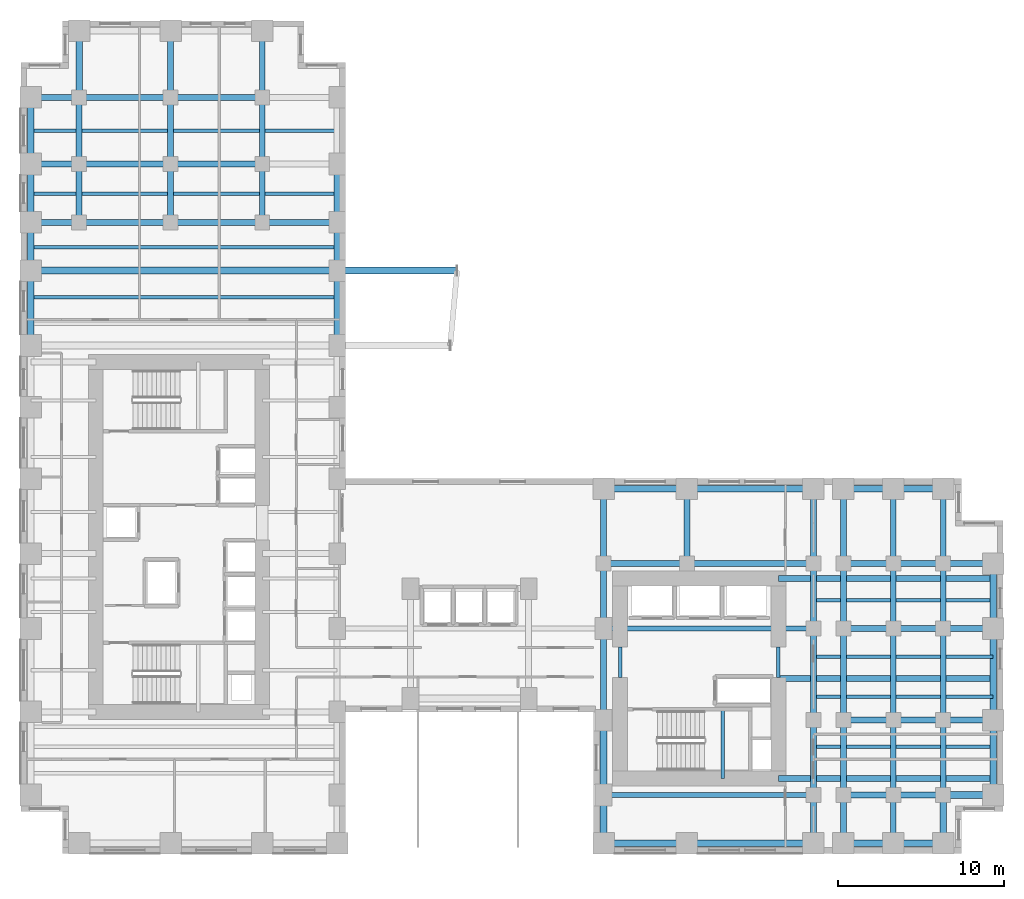
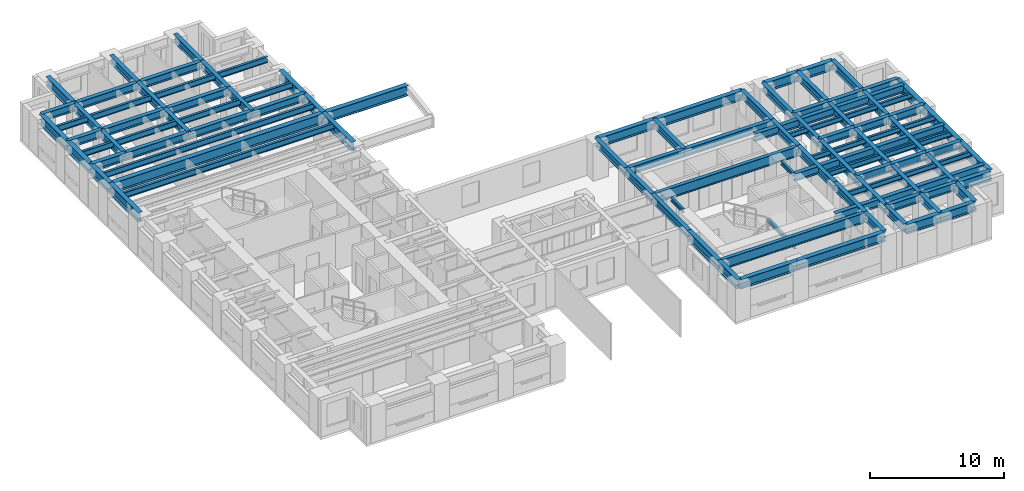
# One storey, part 3 of 14: 95 beams.
"""IFC4 building model written with IfcOpenShell, lengths in metres."""

from ifc_helpers import new_model, si_unit, direction, frame, origin, origin_2d, place, context, subcontext, project, spatial, i_section, extrude, source, transform, mapped, material, material_profile, profile_set, type_object, element, save


model = new_model("IFC4")

# Units and contexts
model_context = context("Model", 3, precision=1e-05, world=origin(), true_north=direction((0.0, 1.0)))
body_context = subcontext(model_context, "Body", "Model", "MODEL_VIEW")
ifc_project = project(units=[si_unit("LENGTHUNIT", "METRE"), si_unit("AREAUNIT", "SQUARE_METRE"), si_unit("VOLUMEUNIT", "CUBIC_METRE"), si_unit("PLANEANGLEUNIT", "RADIAN"), si_unit("MASSUNIT", "GRAM", prefix="KILO")], contexts=[model_context])

# Site, building, storey
site_placement = place(None, origin())
site = spatial("IfcSite", under=ifc_project, at=site_placement, CompositionType="ELEMENT")
building_placement = place(site_placement, origin())
building = spatial("IfcBuilding", under=site, at=building_placement, Name="Kharzan Plaza Tower", CompositionType="ELEMENT")
storey_placement = place(building_placement, frame((0.0, 0.0, 36.89990234375)))
storey = spatial("IfcBuildingStorey", under=building, at=storey_placement, Name="L09", CompositionType="ELEMENT", Elevation=36.89990234375)

# Beams
ifc_material = material(Name="Steel S355", Category="steel")
ifc_material_profile_1 = material_profile(ifc_material, i_section(OverallWidth=0.205078125, OverallDepth=0.35400390625, WebThickness=0.009521484375, FlangeThickness=0.016845703125, at=origin_2d()), Name="W360x79")
ifc_profile_set_1 = profile_set([ifc_material_profile_1], Name="Steel S355")
beam_type_1 = type_object("IfcBeamType", Name="BM-LNT360", PredefinedType="LINTEL", material=ifc_profile_set_1)
shared_shape_1 = source(origin(), body_context, "Body", "SweptSolid", [
    extrude(i_section(OverallWidth=0.205078125, OverallDepth=0.35400390625, WebThickness=0.009521484375, FlangeThickness=0.016845703125, at=origin_2d()), origin(), (0.0, 0.0, 1.0), 1.849853515625),
])
for number, where, z_axis, x_axis, name in (
    (1, (45.5, 10.550048828125, 3.203125), (0.0, 1.0, 0.0), (-1.0, 0.0, 0.0), "L09 CORE-B coupling lintel LN1-WE"),
    (2, (36.0, 10.550048828125, 3.203125), (0.0, 1.0, 0.0), (-1.0, 0.0, 0.0), "L09 CORE-B coupling lintel LN1-WW"),
):
    element("IfcBeam", number, at=place(storey_placement, frame(where, z_axis=z_axis, x_axis=x_axis)), inside=storey, type_object=beam_type_1, Name=name, PredefinedType="LINTEL", context=body_context, shape_type="MappedRepresentation", body=[
        mapped(shared_shape_1, transform((0.0, 0.0, 0.0), x_axis=(1.0, 0.0, 0.0), y_axis=(0.0, 1.0, 0.0), z_axis=(0.0, 0.0, 1.0))),
    ])
shared_shape_2 = source(origin(), body_context, "Body", "SweptSolid", [
    extrude(i_section(OverallWidth=0.205078125, OverallDepth=0.35400390625, WebThickness=0.009521484375, FlangeThickness=0.016845703125, at=origin_2d()), origin(), (0.0, 0.0, 1.0), 4.155029296875),
])
beam_1_placement = place(storey_placement, frame((42.14990234375, 4.5, 1.423095703125), z_axis=(0.0, 1.0, 0.0), x_axis=(-1.0, 0.0, 0.0)))
element("IfcBeam", 3, at=beam_1_placement, inside=storey, type_object=beam_type_1, Name="L09 Stair ST-3 Half-Landing Beam", PredefinedType="LINTEL", context=body_context, shape_type="MappedRepresentation", body=[
    mapped(shared_shape_2, transform((0.0, 0.0, 0.0), x_axis=(1.0, 0.0, 0.0), y_axis=(0.0, 1.0, 0.0), z_axis=(0.0, 0.0, 1.0))),
])
ifc_material_profile_2 = material_profile(ifc_material, i_section(OverallWidth=0.304931640625, OverallDepth=0.9189453125, WebThickness=0.017333984375, FlangeThickness=0.02783203125, at=origin_2d()), Name="W920x253")
ifc_profile_set_2 = profile_set([ifc_material_profile_2], Name="Steel S355")
beam_type_2 = type_object("IfcBeamType", Name="BM-FG920B", PredefinedType="BEAM", material=ifc_profile_set_2)
shared_shape_3 = source(origin(), body_context, "Body", "SweptSolid", [
    extrude(i_section(OverallWidth=0.304931640625, OverallDepth=0.9189453125, WebThickness=0.017333984375, FlangeThickness=0.02783203125, at=origin_2d()), origin(), (0.0, 0.0, 1.0), 12.60009765625),
])
for number, where, z_axis, x_axis, name in (
    (4, (35.0, 3.5, 2.920654296875), (1.0, 0.0, 0.0), (0.0, 1.0, 0.0), "L09 Primary Floor Girder"),
    (5, (35.0, 13.5, 2.920654296875), (1.0, 0.0, 0.0), (0.0, 1.0, 0.0), "L09 Primary Floor Girder"),
):
    element("IfcBeam", number, at=place(storey_placement, frame(where, z_axis=z_axis, x_axis=x_axis)), inside=storey, type_object=beam_type_2, Name=name, PredefinedType="BEAM", context=body_context, shape_type="MappedRepresentation", body=[
        mapped(shared_shape_3, transform((0.0, 0.0, 0.0), x_axis=(1.0, 0.0, 0.0), y_axis=(0.0, 1.0, 0.0), z_axis=(0.0, 0.0, 1.0))),
    ])
ifc_material_profile_3 = material_profile(ifc_material, i_section(OverallWidth=0.35498046875, OverallDepth=0.695068359375, WebThickness=0.015380859375, FlangeThickness=0.02490234375, at=origin_2d()), Name="W690x217")
ifc_profile_set_3 = profile_set([ifc_material_profile_3], Name="Steel S355")
beam_type_3 = type_object("IfcBeamType", Name="BM-FG690A", PredefinedType="BEAM", material=ifc_profile_set_3)
shared_shape_4 = source(origin(), body_context, "Body", "SweptSolid", [
    extrude(i_section(OverallWidth=0.35498046875, OverallDepth=0.695068359375, WebThickness=0.015380859375, FlangeThickness=0.02490234375, at=origin_2d()), origin(), (0.0, 0.0, 1.0), 4.5),
])
for number, where, z_axis, x_axis, name in (
    (6, (35.0, 17.39990234375, 3.03271484375), (0.0, 1.0, 0.0), (-1.0, 0.0, 0.0), "L09 Interior Frame Girder"),
    (7, (40.0, 17.39990234375, 3.03271484375), (0.0, 1.0, 0.0), (-1.0, 0.0, 0.0), "L09 Interior Frame Girder"),
    (8, (47.60009765625, 3.5, 3.03271484375), (0.0, 1.0, 0.0), (-1.0, 0.0, 0.0), "L09 Interior Frame Girder"),
    (9, (47.60009765625, 17.39990234375, 3.03271484375), (0.0, 1.0, 0.0), (-1.0, 0.0, 0.0), "L09 Interior Frame Girder"),
    (10, (49.39990234375, 3.5, 3.03271484375), (0.0, 1.0, 0.0), (-1.0, 0.0, 0.0), "L09 Interior Frame Girder"),
    (11, (49.39990234375, 17.39990234375, 3.03271484375), (0.0, 1.0, 0.0), (-1.0, 0.0, 0.0), "L09 Interior Frame Girder"),
    (12, (52.39990234375, 3.5, 3.03271484375), (0.0, 1.0, 0.0), (-1.0, 0.0, 0.0), "L09 Interior Frame Girder"),
    (13, (52.39990234375, 17.39990234375, 3.03271484375), (0.0, 1.0, 0.0), (-1.0, 0.0, 0.0), "L09 Interior Frame Girder"),
    (14, (55.39990234375, 3.5, 3.03271484375), (0.0, 1.0, 0.0), (-1.0, 0.0, 0.0), "L09 Interior Frame Girder"),
    (15, (55.39990234375, 17.39990234375, 3.03271484375), (0.0, 1.0, 0.0), (-1.0, 0.0, 0.0), "L09 Interior Frame Girder"),
    (16, (14.5, 37.89990234375, 3.03271484375), (1.0, 0.0, 0.0), (0.0, 1.0, 0.0), "L09 Primary Floor Girder"),
):
    element("IfcBeam", number, at=place(storey_placement, frame(where, z_axis=z_axis, x_axis=x_axis)), inside=storey, type_object=beam_type_3, Name=name, PredefinedType="BEAM", context=body_context, shape_type="MappedRepresentation", body=[
        mapped(shared_shape_4, transform((0.0, 0.0, 0.0), x_axis=(1.0, 0.0, 0.0), y_axis=(0.0, 1.0, 0.0), z_axis=(0.0, 0.0, 1.0))),
    ])
shared_shape_5 = source(origin(), body_context, "Body", "SweptSolid", [
    extrude(i_section(OverallWidth=0.35498046875, OverallDepth=0.695068359375, WebThickness=0.015380859375, FlangeThickness=0.02490234375, at=origin_2d()), origin(), (0.0, 0.0, 1.0), 3.89990234375),
])
for number, where, z_axis, x_axis, name in (
    (17, (35.0, 13.5, 3.03271484375), (0.0, 1.0, 0.0), (-1.0, 0.0, 0.0), "L09 Interior Frame Girder"),
    (18, (47.60009765625, 13.5, 3.03271484375), (0.0, 1.0, 0.0), (-1.0, 0.0, 0.0), "L09 Interior Frame Girder"),
    (19, (49.39990234375, 13.5, 3.03271484375), (0.0, 1.0, 0.0), (-1.0, 0.0, 0.0), "L09 Interior Frame Girder"),
    (20, (52.39990234375, 13.5, 3.03271484375), (0.0, 1.0, 0.0), (-1.0, 0.0, 0.0), "L09 Interior Frame Girder"),
    (21, (55.39990234375, 13.5, 3.03271484375), (0.0, 1.0, 0.0), (-1.0, 0.0, 0.0), "L09 Interior Frame Girder"),
):
    element("IfcBeam", number, at=place(storey_placement, frame(where, z_axis=z_axis, x_axis=x_axis)), inside=storey, type_object=beam_type_3, Name=name, PredefinedType="BEAM", context=body_context, shape_type="MappedRepresentation", body=[
        mapped(shared_shape_5, transform((0.0, 0.0, 0.0), x_axis=(1.0, 0.0, 0.0), y_axis=(0.0, 1.0, 0.0), z_axis=(0.0, 0.0, 1.0))),
    ])
shared_shape_6 = source(origin(), body_context, "Body", "SweptSolid", [
    extrude(i_section(OverallWidth=0.35498046875, OverallDepth=0.695068359375, WebThickness=0.015380859375, FlangeThickness=0.02490234375, at=origin_2d()), origin(), (0.0, 0.0, 1.0), 12.89990234375),
])
for number, where, z_axis, x_axis, name in (
    (22, (45.5, 4.5, 3.03271484375), (1.0, 0.0, 0.0), (0.0, 1.0, 0.0), "L09 Core-B East Floor Girder 1"),
    (23, (45.5, 10.5, 3.03271484375), (1.0, 0.0, 0.0), (0.0, 1.0, 0.0), "L09 Core-B East Floor Girder 2"),
    (24, (45.5, 16.5, 3.03271484375), (1.0, 0.0, 0.0), (0.0, 1.0, 0.0), "L09 Core-B East Floor Girder 3"),
):
    element("IfcBeam", number, at=place(storey_placement, frame(where, z_axis=z_axis, x_axis=x_axis)), inside=storey, type_object=beam_type_3, Name=name, PredefinedType="BEAM", context=body_context, shape_type="MappedRepresentation", body=[
        mapped(shared_shape_6, transform((0.0, 0.0, 0.0), x_axis=(1.0, 0.0, 0.0), y_axis=(0.0, 1.0, 0.0), z_axis=(0.0, 0.0, 1.0))),
    ])
shared_shape_7 = source(origin(), body_context, "Body", "SweptSolid", [
    extrude(i_section(OverallWidth=0.35498046875, OverallDepth=0.695068359375, WebThickness=0.015380859375, FlangeThickness=0.02490234375, at=origin_2d()), origin(), (0.0, 0.0, 1.0), 3.5),
])
for number, where, z_axis, x_axis, name in (
    (25, (3.5, 37.89990234375, 3.03271484375), (0.0, 1.0, 0.0), (-1.0, 0.0, 0.0), "L09 Interior Frame Girder"),
    (26, (9.0, 37.89990234375, 3.03271484375), (0.0, 1.0, 0.0), (-1.0, 0.0, 0.0), "L09 Interior Frame Girder"),
    (27, (14.5, 37.89990234375, 3.03271484375), (0.0, 1.0, 0.0), (-1.0, 0.0, 0.0), "L09 Interior Frame Girder"),
):
    element("IfcBeam", number, at=place(storey_placement, frame(where, z_axis=z_axis, x_axis=x_axis)), inside=storey, type_object=beam_type_3, Name=name, PredefinedType="BEAM", context=body_context, shape_type="MappedRepresentation", body=[
        mapped(shared_shape_7, transform((0.0, 0.0, 0.0), x_axis=(1.0, 0.0, 0.0), y_axis=(0.0, 1.0, 0.0), z_axis=(0.0, 0.0, 1.0))),
    ])
shared_shape_8 = source(origin(), body_context, "Body", "SweptSolid", [
    extrude(i_section(OverallWidth=0.35498046875, OverallDepth=0.695068359375, WebThickness=0.015380859375, FlangeThickness=0.02490234375, at=origin_2d()), origin(), (0.0, 0.0, 1.0), 4.0),
])
for number, where, z_axis, x_axis, name in (
    (28, (3.5, 41.39990234375, 3.03271484375), (0.0, 1.0, 0.0), (-1.0, 0.0, 0.0), "L09 Interior Frame Girder"),
    (29, (9.0, 41.39990234375, 3.03271484375), (0.0, 1.0, 0.0), (-1.0, 0.0, 0.0), "L09 Interior Frame Girder"),
    (30, (9.0, 45.39990234375, 3.03271484375), (0.0, 1.0, 0.0), (-1.0, 0.0, 0.0), "L09 Interior Frame Girder"),
    (31, (14.5, 41.39990234375, 3.03271484375), (0.0, 1.0, 0.0), (-1.0, 0.0, 0.0), "L09 Interior Frame Girder"),
    (32, (14.5, 45.39990234375, 3.03271484375), (0.0, 1.0, 0.0), (-1.0, 0.0, 0.0), "L09 Interior Frame Girder"),
):
    element("IfcBeam", number, at=place(storey_placement, frame(where, z_axis=z_axis, x_axis=x_axis)), inside=storey, type_object=beam_type_3, Name=name, PredefinedType="BEAM", context=body_context, shape_type="MappedRepresentation", body=[
        mapped(shared_shape_8, transform((0.0, 0.0, 0.0), x_axis=(1.0, 0.0, 0.0), y_axis=(0.0, 1.0, 0.0), z_axis=(0.0, 0.0, 1.0))),
    ])
shared_shape_9 = source(origin(), body_context, "Body", "SweptSolid", [
    extrude(i_section(OverallWidth=0.35498046875, OverallDepth=0.695068359375, WebThickness=0.015380859375, FlangeThickness=0.02490234375, at=origin_2d()), origin(), (0.0, 0.0, 1.0), 5.0),
])
beam_2_placement = place(storey_placement, frame((35.0, 17.39990234375, 3.03271484375), z_axis=(1.0, 0.0, 0.0), x_axis=(0.0, 1.0, 0.0)))
element("IfcBeam", 33, at=beam_2_placement, inside=storey, type_object=beam_type_3, Name="L09 Primary Floor Girder", PredefinedType="BEAM", context=body_context, shape_type="MappedRepresentation", body=[
    mapped(shared_shape_9, transform((0.0, 0.0, 0.0), x_axis=(1.0, 0.0, 0.0), y_axis=(0.0, 1.0, 0.0), z_axis=(0.0, 0.0, 1.0))),
])
shared_shape_10 = source(origin(), body_context, "Body", "SweptSolid", [
    extrude(i_section(OverallWidth=0.35498046875, OverallDepth=0.695068359375, WebThickness=0.015380859375, FlangeThickness=0.02490234375, at=origin_2d()), origin(), (0.0, 0.0, 1.0), 5.5),
])
for number, where, z_axis, x_axis, name in (
    (34, (35.0, 8.0, 3.03271484375), (0.0, 1.0, 0.0), (-1.0, 0.0, 0.0), "L09 Interior Frame Girder"),
    (35, (47.60009765625, 8.0, 3.03271484375), (0.0, 1.0, 0.0), (-1.0, 0.0, 0.0), "L09 Interior Frame Girder"),
    (36, (49.39990234375, 8.0, 3.03271484375), (0.0, 1.0, 0.0), (-1.0, 0.0, 0.0), "L09 Interior Frame Girder"),
    (37, (52.39990234375, 8.0, 3.03271484375), (0.0, 1.0, 0.0), (-1.0, 0.0, 0.0), "L09 Interior Frame Girder"),
    (38, (55.39990234375, 8.0, 3.03271484375), (0.0, 1.0, 0.0), (-1.0, 0.0, 0.0), "L09 Interior Frame Girder"),
    (39, (3.5, 45.39990234375, 3.03271484375), (1.0, 0.0, 0.0), (0.0, 1.0, 0.0), "L09 Primary Floor Girder"),
    (40, (9.0, 45.39990234375, 3.03271484375), (1.0, 0.0, 0.0), (0.0, 1.0, 0.0), "L09 Primary Floor Girder"),
    (41, (3.5, 37.89990234375, 3.03271484375), (1.0, 0.0, 0.0), (0.0, 1.0, 0.0), "L09 Primary Floor Girder"),
    (42, (9.0, 37.89990234375, 3.03271484375), (1.0, 0.0, 0.0), (0.0, 1.0, 0.0), "L09 Primary Floor Girder"),
    (43, (3.5, 41.39990234375, 3.03271484375), (1.0, 0.0, 0.0), (0.0, 1.0, 0.0), "L09 Primary Floor Girder"),
    (44, (9.0, 41.39990234375, 3.03271484375), (1.0, 0.0, 0.0), (0.0, 1.0, 0.0), "L09 Primary Floor Girder"),
):
    element("IfcBeam", number, at=place(storey_placement, frame(where, z_axis=z_axis, x_axis=x_axis)), inside=storey, type_object=beam_type_3, Name=name, PredefinedType="BEAM", context=body_context, shape_type="MappedRepresentation", body=[
        mapped(shared_shape_10, transform((0.0, 0.0, 0.0), x_axis=(1.0, 0.0, 0.0), y_axis=(0.0, 1.0, 0.0), z_axis=(0.0, 0.0, 1.0))),
    ])
shared_shape_11 = source(origin(), body_context, "Body", "SweptSolid", [
    extrude(i_section(OverallWidth=0.35498046875, OverallDepth=0.695068359375, WebThickness=0.015380859375, FlangeThickness=0.02490234375, at=origin_2d()), origin(), (0.0, 0.0, 1.0), 2.89990234375),
])
for number, where, z_axis, x_axis, name in (
    (45, (47.60009765625, 0.60009765625, 3.03271484375), (0.0, 1.0, 0.0), (-1.0, 0.0, 0.0), "L09 Interior Frame Girder"),
    (46, (49.39990234375, 0.60009765625, 3.03271484375), (0.0, 1.0, 0.0), (-1.0, 0.0, 0.0), "L09 Interior Frame Girder"),
    (47, (52.39990234375, 0.60009765625, 3.03271484375), (0.0, 1.0, 0.0), (-1.0, 0.0, 0.0), "L09 Interior Frame Girder"),
    (48, (0.60009765625, 45.39990234375, 3.03271484375), (1.0, 0.0, 0.0), (0.0, 1.0, 0.0), "L09 Primary Floor Girder"),
    (49, (0.60009765625, 37.89990234375, 3.03271484375), (1.0, 0.0, 0.0), (0.0, 1.0, 0.0), "L09 Primary Floor Girder"),
    (50, (0.60009765625, 41.39990234375, 3.03271484375), (1.0, 0.0, 0.0), (0.0, 1.0, 0.0), "L09 Primary Floor Girder"),
):
    element("IfcBeam", number, at=place(storey_placement, frame(where, z_axis=z_axis, x_axis=x_axis)), inside=storey, type_object=beam_type_3, Name=name, PredefinedType="BEAM", context=body_context, shape_type="MappedRepresentation", body=[
        mapped(shared_shape_11, transform((0.0, 0.0, 0.0), x_axis=(1.0, 0.0, 0.0), y_axis=(0.0, 1.0, 0.0), z_axis=(0.0, 0.0, 1.0))),
    ])
shared_shape_12 = source(origin(), body_context, "Body", "SweptSolid", [
    extrude(i_section(OverallWidth=0.35498046875, OverallDepth=0.695068359375, WebThickness=0.015380859375, FlangeThickness=0.02490234375, at=origin_2d()), origin(), (0.0, 0.0, 1.0), 3.0),
])
for number, where, z_axis, x_axis, name in (
    (51, (49.39990234375, 3.5, 3.03271484375), (1.0, 0.0, 0.0), (0.0, 1.0, 0.0), "L09 Primary Floor Girder"),
    (52, (52.39990234375, 3.5, 3.03271484375), (1.0, 0.0, 0.0), (0.0, 1.0, 0.0), "L09 Primary Floor Girder"),
    (53, (49.39990234375, 8.0, 3.03271484375), (1.0, 0.0, 0.0), (0.0, 1.0, 0.0), "L09 Primary Floor Girder"),
    (54, (52.39990234375, 8.0, 3.03271484375), (1.0, 0.0, 0.0), (0.0, 1.0, 0.0), "L09 Primary Floor Girder"),
    (55, (55.39990234375, 8.0, 3.03271484375), (1.0, 0.0, 0.0), (0.0, 1.0, 0.0), "L09 Primary Floor Girder"),
    (56, (49.39990234375, 13.5, 3.03271484375), (1.0, 0.0, 0.0), (0.0, 1.0, 0.0), "L09 Primary Floor Girder"),
    (57, (52.39990234375, 13.5, 3.03271484375), (1.0, 0.0, 0.0), (0.0, 1.0, 0.0), "L09 Primary Floor Girder"),
    (58, (55.39990234375, 13.5, 3.03271484375), (1.0, 0.0, 0.0), (0.0, 1.0, 0.0), "L09 Primary Floor Girder"),
    (59, (49.39990234375, 17.39990234375, 3.03271484375), (1.0, 0.0, 0.0), (0.0, 1.0, 0.0), "L09 Primary Floor Girder"),
    (60, (52.39990234375, 17.39990234375, 3.03271484375), (1.0, 0.0, 0.0), (0.0, 1.0, 0.0), "L09 Primary Floor Girder"),
    (61, (55.39990234375, 17.39990234375, 3.03271484375), (1.0, 0.0, 0.0), (0.0, 1.0, 0.0), "L09 Primary Floor Girder"),
):
    element("IfcBeam", number, at=place(storey_placement, frame(where, z_axis=z_axis, x_axis=x_axis)), inside=storey, type_object=beam_type_3, Name=name, PredefinedType="BEAM", context=body_context, shape_type="MappedRepresentation", body=[
        mapped(shared_shape_12, transform((0.0, 0.0, 0.0), x_axis=(1.0, 0.0, 0.0), y_axis=(0.0, 1.0, 0.0), z_axis=(0.0, 0.0, 1.0))),
    ])
shared_shape_13 = source(origin(), body_context, "Body", "SweptSolid", [
    extrude(i_section(OverallWidth=0.35498046875, OverallDepth=0.695068359375, WebThickness=0.015380859375, FlangeThickness=0.02490234375, at=origin_2d()), origin(), (0.0, 0.0, 1.0), 7.60009765625),
])
beam_3_placement = place(storey_placement, frame((40.0, 17.39990234375, 3.03271484375), z_axis=(1.0, 0.0, 0.0), x_axis=(0.0, 1.0, 0.0)))
element("IfcBeam", 62, at=beam_3_placement, inside=storey, type_object=beam_type_3, Name="L09 Primary Floor Girder", PredefinedType="BEAM", context=body_context, shape_type="MappedRepresentation", body=[
    mapped(shared_shape_13, transform((0.0, 0.0, 0.0), x_axis=(1.0, 0.0, 0.0), y_axis=(0.0, 1.0, 0.0), z_axis=(0.0, 0.0, 1.0))),
])
ifc_material_profile_4 = material_profile(ifc_material, i_section(OverallWidth=0.2099609375, OverallDepth=0.537109375, WebThickness=0.010986328125, FlangeThickness=0.017333984375, at=origin_2d()), Name="W530x101")
ifc_profile_set_4 = profile_set([ifc_material_profile_4], Name="Steel S355")
beam_type_4 = type_object("IfcBeamType", Name="BM-JST530B", PredefinedType="JOIST", material=ifc_profile_set_4)
shared_shape_14 = source(origin(), body_context, "Body", "SweptSolid", [
    extrude(i_section(OverallWidth=0.2099609375, OverallDepth=0.537109375, WebThickness=0.010986328125, FlangeThickness=0.017333984375, at=origin_2d()), origin(), (0.0, 0.0, 1.0), 18.39990234375),
])
for number, where, z_axis, x_axis, name in (
    (63, (0.60009765625, 33.39990234375, 3.111572265625), (1.0, 0.0, 0.0), (0.0, 1.0, 0.0), "L09 Wing A Composite Joist 05"),
    (64, (0.60009765625, 36.39990234375, 3.111572265625), (1.0, 0.0, 0.0), (0.0, 1.0, 0.0), "L09 Wing A Composite Joist 06"),
    (65, (0.60009765625, 39.60009765625, 3.111572265625), (1.0, 0.0, 0.0), (0.0, 1.0, 0.0), "L09 Wing A Composite Joist 07"),
    (66, (0.60009765625, 43.39990234375, 3.111572265625), (1.0, 0.0, 0.0), (0.0, 1.0, 0.0), "L09 Wing A Composite Joist 08"),
):
    element("IfcBeam", number, at=place(storey_placement, frame(where, z_axis=z_axis, x_axis=x_axis)), inside=storey, type_object=beam_type_4, Name=name, PredefinedType="JOIST", context=body_context, shape_type="MappedRepresentation", body=[
        mapped(shared_shape_14, transform((0.0, 0.0, 0.0), x_axis=(1.0, 0.0, 0.0), y_axis=(0.0, 1.0, 0.0), z_axis=(0.0, 0.0, 1.0))),
    ])
ifc_material_profile_5 = material_profile(ifc_material, i_section(OverallWidth=0.194091796875, OverallDepth=0.468994140625, WebThickness=0.011474609375, FlangeThickness=0.0205078125, at=origin_2d()), Name="W460x106")
ifc_profile_set_5 = profile_set([ifc_material_profile_5], Name="Steel S355")
beam_type_5 = type_object("IfcBeamType", Name="BM-JST460", PredefinedType="JOIST", material=ifc_profile_set_5)
shared_shape_15 = source(origin(), body_context, "Body", "SweptSolid", [
    extrude(i_section(OverallWidth=0.194091796875, OverallDepth=0.468994140625, WebThickness=0.011474609375, FlangeThickness=0.0205078125, at=origin_2d()), origin(), (0.0, 0.0, 1.0), 10.7998046875),
])
for number, where, z_axis, x_axis, name in (
    (67, (47.60009765625, 6.39990234375, 3.1455078125), (1.0, 0.0, 0.0), (0.0, 1.0, 0.0), "L09 Wing B Composite Joist 02"),
    (68, (47.60009765625, 9.39990234375, 3.1455078125), (1.0, 0.0, 0.0), (0.0, 1.0, 0.0), "L09 Wing B Composite Joist 03"),
    (69, (47.60009765625, 11.800048828125, 3.1455078125), (1.0, 0.0, 0.0), (0.0, 1.0, 0.0), "L09 Wing B Composite Joist 04"),
    (70, (47.60009765625, 15.199951171875, 3.1455078125), (1.0, 0.0, 0.0), (0.0, 1.0, 0.0), "L09 Wing B Composite Joist 05"),
):
    element("IfcBeam", number, at=place(storey_placement, frame(where, z_axis=z_axis, x_axis=x_axis)), inside=storey, type_object=beam_type_5, Name=name, PredefinedType="JOIST", context=body_context, shape_type="MappedRepresentation", body=[
        mapped(shared_shape_15, transform((0.0, 0.0, 0.0), x_axis=(1.0, 0.0, 0.0), y_axis=(0.0, 1.0, 0.0), z_axis=(0.0, 0.0, 1.0))),
    ])
ifc_material_profile_6 = material_profile(ifc_material, i_section(OverallWidth=0.40087890625, OverallDepth=0.85498046875, WebThickness=0.018310546875, FlangeThickness=0.029296875, at=origin_2d()), Name="W840x299")
ifc_profile_set_6 = profile_set([ifc_material_profile_6], Name="Steel S355")
beam_type_6 = type_object("IfcBeamType", Name="BM-SP840A", PredefinedType="SPANDREL", material=ifc_profile_set_6)
shared_shape_16 = source(origin(), body_context, "Body", "SweptSolid", [
    extrude(i_section(OverallWidth=0.40087890625, OverallDepth=0.85498046875, WebThickness=0.018310546875, FlangeThickness=0.029296875, at=origin_2d()), origin(), (0.0, 0.0, 1.0), 5.0),
])
for number, where, z_axis, x_axis, name in (
    (71, (35.0, 0.60009765625, 2.95263671875), (1.0, 0.0, 0.0), (0.0, 1.0, 0.0), "L09 Perimeter Tube Spandrel"),
    (72, (35.0, 21.89990234375, 2.95263671875), (1.0, 0.0, 0.0), (0.0, 1.0, 0.0), "L09 Perimeter Tube Spandrel"),
):
    element("IfcBeam", number, at=place(storey_placement, frame(where, z_axis=z_axis, x_axis=x_axis)), inside=storey, type_object=beam_type_6, Name=name, PredefinedType="SPANDREL", context=body_context, shape_type="MappedRepresentation", body=[
        mapped(shared_shape_16, transform((0.0, 0.0, 0.0), x_axis=(1.0, 0.0, 0.0), y_axis=(0.0, 1.0, 0.0), z_axis=(0.0, 0.0, 1.0))),
    ])
shared_shape_17 = source(origin(), body_context, "Body", "SweptSolid", [
    extrude(i_section(OverallWidth=0.40087890625, OverallDepth=0.85498046875, WebThickness=0.018310546875, FlangeThickness=0.029296875, at=origin_2d()), origin(), (0.0, 0.0, 1.0), 4.5),
])
for number, where, z_axis, x_axis, name in (
    (73, (0.60009765625, 30.5, 2.95263671875), (0.0, 1.0, 0.0), (-1.0, 0.0, 0.0), "L09 Perimeter Tube Spandrel"),
    (74, (19.0, 30.5, 2.95263671875), (0.0, 1.0, 0.0), (-1.0, 0.0, 0.0), "L09 Perimeter Tube Spandrel"),
    (75, (35.0, 3.5, 2.95263671875), (0.0, 1.0, 0.0), (-1.0, 0.0, 0.0), "L09 Perimeter Tube Spandrel"),
    (76, (58.39990234375, 3.5, 2.95263671875), (0.0, 1.0, 0.0), (-1.0, 0.0, 0.0), "L09 Perimeter Tube Spandrel"),
):
    element("IfcBeam", number, at=place(storey_placement, frame(where, z_axis=z_axis, x_axis=x_axis)), inside=storey, type_object=beam_type_6, Name=name, PredefinedType="SPANDREL", context=body_context, shape_type="MappedRepresentation", body=[
        mapped(shared_shape_17, transform((0.0, 0.0, 0.0), x_axis=(1.0, 0.0, 0.0), y_axis=(0.0, 1.0, 0.0), z_axis=(0.0, 0.0, 1.0))),
    ])
shared_shape_18 = source(origin(), body_context, "Body", "SweptSolid", [
    extrude(i_section(OverallWidth=0.40087890625, OverallDepth=0.85498046875, WebThickness=0.018310546875, FlangeThickness=0.029296875, at=origin_2d()), origin(), (0.0, 0.0, 1.0), 2.89990234375),
])
for number, where, z_axis, x_axis, name in (
    (77, (0.60009765625, 35.0, 2.95263671875), (0.0, 1.0, 0.0), (-1.0, 0.0, 0.0), "L09 Perimeter Tube Spandrel"),
    (78, (19.0, 35.0, 2.95263671875), (0.0, 1.0, 0.0), (-1.0, 0.0, 0.0), "L09 Perimeter Tube Spandrel"),
    (79, (35.0, 0.60009765625, 2.95263671875), (0.0, 1.0, 0.0), (-1.0, 0.0, 0.0), "L09 Perimeter Tube Spandrel"),
    (80, (55.39990234375, 0.60009765625, 2.95263671875), (0.0, 1.0, 0.0), (-1.0, 0.0, 0.0), "L09 Perimeter Tube Spandrel"),
):
    element("IfcBeam", number, at=place(storey_placement, frame(where, z_axis=z_axis, x_axis=x_axis)), inside=storey, type_object=beam_type_6, Name=name, PredefinedType="SPANDREL", context=body_context, shape_type="MappedRepresentation", body=[
        mapped(shared_shape_18, transform((0.0, 0.0, 0.0), x_axis=(1.0, 0.0, 0.0), y_axis=(0.0, 1.0, 0.0), z_axis=(0.0, 0.0, 1.0))),
    ])
shared_shape_19 = source(origin(), body_context, "Body", "SweptSolid", [
    extrude(i_section(OverallWidth=0.40087890625, OverallDepth=0.85498046875, WebThickness=0.018310546875, FlangeThickness=0.029296875, at=origin_2d()), origin(), (0.0, 0.0, 1.0), 3.5),
])
for number, where, z_axis, x_axis, name in (
    (81, (0.60009765625, 37.89990234375, 2.95263671875), (0.0, 1.0, 0.0), (-1.0, 0.0, 0.0), "L09 Perimeter Tube Spandrel"),
    (82, (19.0, 37.89990234375, 2.95263671875), (0.0, 1.0, 0.0), (-1.0, 0.0, 0.0), "L09 Perimeter Tube Spandrel"),
):
    element("IfcBeam", number, at=place(storey_placement, frame(where, z_axis=z_axis, x_axis=x_axis)), inside=storey, type_object=beam_type_6, Name=name, PredefinedType="SPANDREL", context=body_context, shape_type="MappedRepresentation", body=[
        mapped(shared_shape_19, transform((0.0, 0.0, 0.0), x_axis=(1.0, 0.0, 0.0), y_axis=(0.0, 1.0, 0.0), z_axis=(0.0, 0.0, 1.0))),
    ])
shared_shape_20 = source(origin(), body_context, "Body", "SweptSolid", [
    extrude(i_section(OverallWidth=0.40087890625, OverallDepth=0.85498046875, WebThickness=0.018310546875, FlangeThickness=0.029296875, at=origin_2d()), origin(), (0.0, 0.0, 1.0), 4.0),
])
for number, where, z_axis, x_axis, name in (
    (83, (0.60009765625, 41.39990234375, 2.95263671875), (0.0, 1.0, 0.0), (-1.0, 0.0, 0.0), "L09 Perimeter Tube Spandrel"),
    (84, (3.5, 45.39990234375, 2.95263671875), (0.0, 1.0, 0.0), (-1.0, 0.0, 0.0), "L09 Perimeter Tube Spandrel"),
):
    element("IfcBeam", number, at=place(storey_placement, frame(where, z_axis=z_axis, x_axis=x_axis)), inside=storey, type_object=beam_type_6, Name=name, PredefinedType="SPANDREL", context=body_context, shape_type="MappedRepresentation", body=[
        mapped(shared_shape_20, transform((0.0, 0.0, 0.0), x_axis=(1.0, 0.0, 0.0), y_axis=(0.0, 1.0, 0.0), z_axis=(0.0, 0.0, 1.0))),
    ])
shared_shape_21 = source(origin(), body_context, "Body", "SweptSolid", [
    extrude(i_section(OverallWidth=0.40087890625, OverallDepth=0.85498046875, WebThickness=0.018310546875, FlangeThickness=0.029296875, at=origin_2d()), origin(), (0.0, 0.0, 1.0), 5.5),
])
beam_4_placement = place(storey_placement, frame((58.39990234375, 8.0, 2.95263671875), z_axis=(0.0, 1.0, 0.0), x_axis=(-1.0, 0.0, 0.0)))
element("IfcBeam", 85, at=beam_4_placement, inside=storey, type_object=beam_type_6, Name="L09 Perimeter Tube Spandrel", PredefinedType="SPANDREL", context=body_context, shape_type="MappedRepresentation", body=[
    mapped(shared_shape_21, transform((0.0, 0.0, 0.0), x_axis=(1.0, 0.0, 0.0), y_axis=(0.0, 1.0, 0.0), z_axis=(0.0, 0.0, 1.0))),
])
shared_shape_22 = source(origin(), body_context, "Body", "SweptSolid", [
    extrude(i_section(OverallWidth=0.40087890625, OverallDepth=0.85498046875, WebThickness=0.018310546875, FlangeThickness=0.029296875, at=origin_2d()), origin(), (0.0, 0.0, 1.0), 3.89990234375),
])
beam_5_placement = place(storey_placement, frame((58.39990234375, 13.5, 2.95263671875), z_axis=(0.0, 1.0, 0.0), x_axis=(-1.0, 0.0, 0.0)))
element("IfcBeam", 86, at=beam_5_placement, inside=storey, type_object=beam_type_6, Name="L09 Perimeter Tube Spandrel", PredefinedType="SPANDREL", context=body_context, shape_type="MappedRepresentation", body=[
    mapped(shared_shape_22, transform((0.0, 0.0, 0.0), x_axis=(1.0, 0.0, 0.0), y_axis=(0.0, 1.0, 0.0), z_axis=(0.0, 0.0, 1.0))),
])
shared_shape_23 = source(origin(), body_context, "Body", "SweptSolid", [
    extrude(i_section(OverallWidth=0.40087890625, OverallDepth=0.85498046875, WebThickness=0.018310546875, FlangeThickness=0.029296875, at=origin_2d()), origin(), (0.0, 0.0, 1.0), 7.60009765625),
])
for number, where, z_axis, x_axis, name in (
    (87, (40.0, 0.60009765625, 2.95263671875), (1.0, 0.0, 0.0), (0.0, 1.0, 0.0), "L09 Perimeter Tube Spandrel"),
    (88, (40.0, 21.89990234375, 2.95263671875), (1.0, 0.0, 0.0), (0.0, 1.0, 0.0), "L09 Perimeter Tube Spandrel"),
):
    element("IfcBeam", number, at=place(storey_placement, frame(where, z_axis=z_axis, x_axis=x_axis)), inside=storey, type_object=beam_type_6, Name=name, PredefinedType="SPANDREL", context=body_context, shape_type="MappedRepresentation", body=[
        mapped(shared_shape_23, transform((0.0, 0.0, 0.0), x_axis=(1.0, 0.0, 0.0), y_axis=(0.0, 1.0, 0.0), z_axis=(0.0, 0.0, 1.0))),
    ])
shared_shape_24 = source(origin(), body_context, "Body", "SweptSolid", [
    extrude(i_section(OverallWidth=0.40087890625, OverallDepth=0.85498046875, WebThickness=0.018310546875, FlangeThickness=0.029296875, at=origin_2d()), origin(), (0.0, 0.0, 1.0), 3.0),
])
for number, where, z_axis, x_axis, name in (
    (89, (49.39990234375, 0.60009765625, 2.95263671875), (1.0, 0.0, 0.0), (0.0, 1.0, 0.0), "L09 Perimeter Tube Spandrel"),
    (90, (52.39990234375, 0.60009765625, 2.95263671875), (1.0, 0.0, 0.0), (0.0, 1.0, 0.0), "L09 Perimeter Tube Spandrel"),
    (91, (55.39990234375, 3.5, 2.95263671875), (1.0, 0.0, 0.0), (0.0, 1.0, 0.0), "L09 Perimeter Tube Spandrel"),
    (92, (49.39990234375, 21.89990234375, 2.95263671875), (1.0, 0.0, 0.0), (0.0, 1.0, 0.0), "L09 Perimeter Tube Spandrel"),
    (93, (52.39990234375, 21.89990234375, 2.95263671875), (1.0, 0.0, 0.0), (0.0, 1.0, 0.0), "L09 Perimeter Tube Spandrel"),
):
    element("IfcBeam", number, at=place(storey_placement, frame(where, z_axis=z_axis, x_axis=x_axis)), inside=storey, type_object=beam_type_6, Name=name, PredefinedType="SPANDREL", context=body_context, shape_type="MappedRepresentation", body=[
        mapped(shared_shape_24, transform((0.0, 0.0, 0.0), x_axis=(1.0, 0.0, 0.0), y_axis=(0.0, 1.0, 0.0), z_axis=(0.0, 0.0, 1.0))),
    ])
ifc_material_profile_7 = material_profile(ifc_material, i_section(OverallWidth=0.41796875, OverallDepth=0.93701171875, WebThickness=0.019287109375, FlangeThickness=0.031982421875, at=origin_2d()), Name="W920x342")
ifc_profile_set_7 = profile_set([ifc_material_profile_7], Name="Steel S355")
beam_type_7 = type_object("IfcBeamType", Name="BM-ZTB920", PredefinedType="BEAM", material=ifc_profile_set_7)
shared_shape_25 = source(origin(), body_context, "Body", "SweptSolid", [
    extrude(i_section(OverallWidth=0.41796875, OverallDepth=0.93701171875, WebThickness=0.019287109375, FlangeThickness=0.031982421875, at=origin_2d()), origin(), (0.0, 0.0, 1.0), 18.39990234375),
])
beam_6_placement = place(storey_placement, frame((0.60009765625, 35.0, 2.91162109375), z_axis=(1.0, 0.0, 0.0), x_axis=(0.0, 1.0, 0.0)))
element("IfcBeam", 94, at=beam_6_placement, inside=storey, type_object=beam_type_7, Name="L09 Sky-Terrace Back-Span Girder ZTB1 (L10 G2)", PredefinedType="BEAM", context=body_context, shape_type="MappedRepresentation", body=[
    mapped(shared_shape_25, transform((0.0, 0.0, 0.0), x_axis=(1.0, 0.0, 0.0), y_axis=(0.0, 1.0, 0.0), z_axis=(0.0, 0.0, 1.0))),
])
ifc_material_profile_8 = material_profile(ifc_material, i_section(OverallWidth=0.41796875, OverallDepth=0.93701171875, WebThickness=0.019287109375, FlangeThickness=0.031982421875, at=origin_2d()), Name="W920x342")
ifc_profile_set_8 = profile_set([ifc_material_profile_8], Name="Steel S355")
beam_type_8 = type_object("IfcBeamType", Name="BM-ZTG920", PredefinedType="BEAM", material=ifc_profile_set_8)
shared_shape_26 = source(origin(), body_context, "Body", "SweptSolid", [
    extrude(i_section(OverallWidth=0.41796875, OverallDepth=0.93701171875, WebThickness=0.019287109375, FlangeThickness=0.031982421875, at=origin_2d()), origin(), (0.0, 0.0, 1.0), 7.199951171875),
])
beam_7_placement = place(storey_placement, frame((19.0, 35.0, 2.91162109375), z_axis=(1.0, 0.0, 0.0), x_axis=(0.0, 1.0, 0.0)))
element("IfcBeam", 95, at=beam_7_placement, inside=storey, type_object=beam_type_8, Name="L09 Sky-Terrace Cantilever Girder ZTG1 (L10 G2)", PredefinedType="BEAM", context=body_context, shape_type="MappedRepresentation", body=[
    mapped(shared_shape_26, transform((0.0, 0.0, 0.0), x_axis=(1.0, 0.0, 0.0), y_axis=(0.0, 1.0, 0.0), z_axis=(0.0, 0.0, 1.0))),
])

save(model, "model.ifc")
